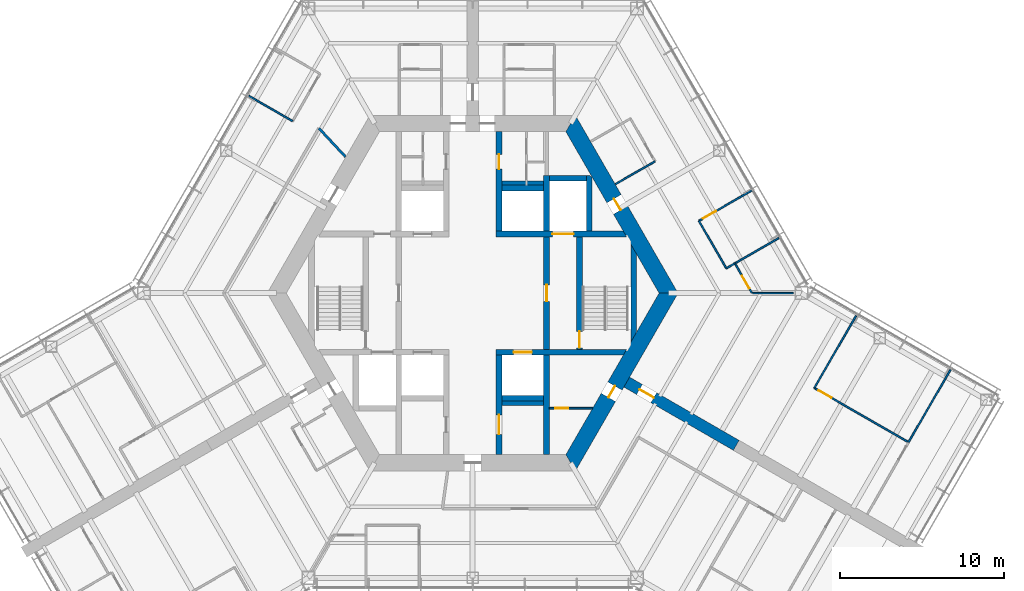
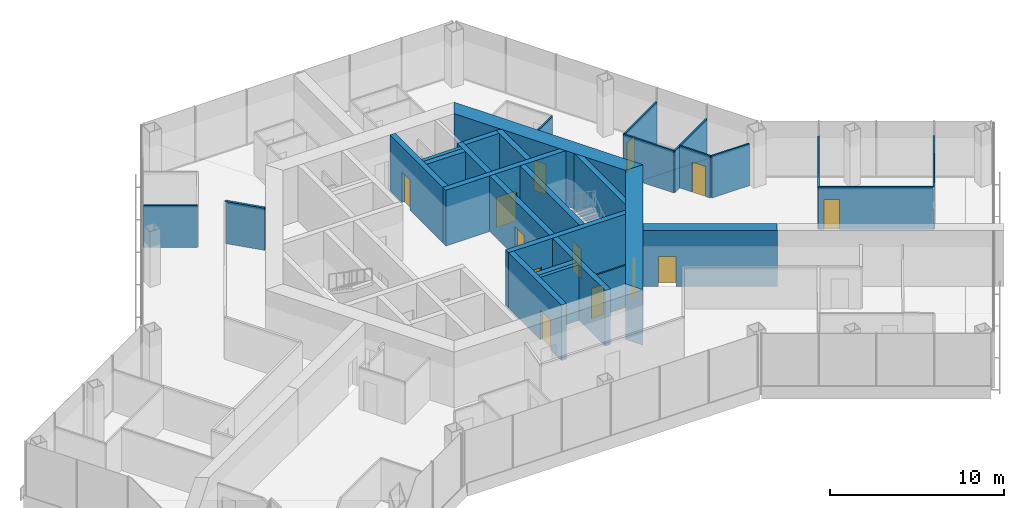
# One storey, part 14 of 18: 31 walls, 13 doors, 13 openings.
"""IFC4 building model written with IfcOpenShell, lengths in metres."""

import ifcopenshell
import ifcopenshell.guid

model = None  # the IFC model being written
_history = None  # IfcOwnerHistory: only IFC2X3 demands one
_inside = {}  # id of a spatial element -> (the spatial element, [elements in it])
_under = {}  # id of a project, library or spatial element -> (it, [spatial elements below it])
_declared = {}  # id of a project -> (the project, [libraries it declares])
_typed = {}  # id of a type object -> (the type object, [elements of that type])
_made_of = {}  # id of a material, layer set ... -> (it, [elements and type objects made of it])


def new_model(schema):
    """Start an empty IFC model of exactly this schema.

    Asked for "IFC4X3", IfcOpenShell would pick the latest addendum, in which some entities
    have other attributes; the version numbers below select the first issue.
    IFC2X3 requires an IfcOwnerHistory on every rooted entity: one is made here for all.
    """
    global model, _history
    if schema == "IFC4X3":
        model = ifcopenshell.file(schema_version=(4, 3, 0, 0))
    else:
        model = ifcopenshell.file(schema=schema)
    _inside.clear()
    _under.clear()
    _declared.clear()
    _typed.clear()
    _made_of.clear()
    _history = None
    if model.schema == "IFC2X3":
        org = make("IfcOrganization", Name="unknown")
        user = make(
            "IfcPersonAndOrganization",
            ThePerson=make("IfcPerson", FamilyName="unknown"),
            TheOrganization=org,
        )
        app = make(
            "IfcApplication",
            ApplicationDeveloper=org,
            Version="unknown",
            ApplicationFullName="unknown",
            ApplicationIdentifier="unknown",
        )
        _history = make(
            "IfcOwnerHistory",
            OwningUser=user,
            OwningApplication=app,
            ChangeAction="ADDED",
            CreationDate=0,
        )
    return model


def make(cls, **values):
    """One entity of the class cls with the attributes given. An attribute that is None is left unset."""
    return model.create_entity(
        cls, **{name: value for name, value in values.items() if value is not None}
    )


def rooted(cls, **values):
    """An entity with a GlobalId (a new one), such as an element, a storey or a relation."""
    return make(cls, GlobalId=ifcopenshell.guid.new(), OwnerHistory=_history, **values)


def si_unit(unit_type, name, prefix=None):
    """IfcSIUnit, for example si_unit("LENGTHUNIT", "METRE", prefix="MILLI")."""
    return make("IfcSIUnit", UnitType=unit_type, Prefix=prefix, Name=name)


def assignment(units):
    """IfcUnitAssignment: the units of a project."""
    return None if units is None else make("IfcUnitAssignment", Units=units)


def point(xyz):
    """IfcCartesianPoint."""
    return None if xyz is None else make("IfcCartesianPoint", Coordinates=xyz)


def direction(xyz):
    """IfcDirection."""
    return None if xyz is None else make("IfcDirection", DirectionRatios=xyz)


def frame(location, z_axis=None, x_axis=None):
    """IfcAxis2Placement3D, a coordinate frame: its origin and axes. An axis left out is left unset."""
    return make(
        "IfcAxis2Placement3D",
        Location=point(location),
        Axis=direction(z_axis),
        RefDirection=direction(x_axis),
    )


def frame_2d(location, x_axis=None):
    """IfcAxis2Placement2D, a coordinate frame in the plane: its origin and x axis."""
    return make(
        "IfcAxis2Placement2D", Location=point(location), RefDirection=direction(x_axis)
    )


def origin():
    """The frame at (0, 0, 0) with its axes left unset."""
    return frame((0.0, 0.0, 0.0))


def place(relative_to, where):
    """IfcLocalPlacement: puts the frame where relative to a parent placement (None: the world)."""
    return make(
        "IfcLocalPlacement", PlacementRelTo=relative_to, RelativePlacement=where
    )


def context(
    kind, dimensions, precision=None, world=None, true_north=None, identifier=None
):
    """IfcGeometricRepresentationContext, for example the 3D "Model" context."""
    return make(
        "IfcGeometricRepresentationContext",
        ContextIdentifier=identifier,
        ContextType=kind,
        CoordinateSpaceDimension=dimensions,
        Precision=precision,
        WorldCoordinateSystem=world,
        TrueNorth=true_north,
    )


def subcontext(parent, identifier, kind, view, scale=None):
    """IfcGeometricRepresentationSubContext, for example "Body" below "Model"."""
    return make(
        "IfcGeometricRepresentationSubContext",
        ContextIdentifier=identifier,
        ContextType=kind,
        ParentContext=parent,
        TargetScale=scale,
        TargetView=view,
    )


def project(units=None, contexts=None):
    """IfcProject with its units and contexts."""
    return rooted(
        "IfcProject",
        Name="project",
        RepresentationContexts=contexts,
        UnitsInContext=assignment(units),
    )


def spatial(cls, under=None, at=None, **own):
    """A site, building, storey or space (cls), placed at a placement, below another one or the project."""
    s = rooted(cls, ObjectPlacement=at, **own)
    if under is not None:
        _under.setdefault(under.id(), (under, []))[1].append(s)
    return s


def polyline(points):
    """IfcPolyline through the points."""
    return make("IfcPolyline", Points=[point(p) for p in points])


def profile(cls, at=None, kind="AREA", **sizes):
    """A parametric profile (cls). Its sizes go by their IFC names, for example OverallWidth=200.0."""
    return make(cls, ProfileType=kind, Position=at, **sizes)


def rectangle(**sizes):
    """IfcRectangleProfileDef."""
    return profile("IfcRectangleProfileDef", **sizes)


def outline(outer, holes=None, kind="AREA"):
    """IfcArbitraryClosedProfileDef: a profile drawn as a closed curve; with holes, ...WithVoids."""
    if holes is None:
        return make("IfcArbitraryClosedProfileDef", ProfileType=kind, OuterCurve=outer)
    return make(
        "IfcArbitraryProfileDefWithVoids",
        ProfileType=kind,
        OuterCurve=outer,
        InnerCurves=holes,
    )


def extrude(swept, where, along, depth):
    """IfcExtrudedAreaSolid: the profile swept, set in the frame where, extruded along a direction by depth."""
    return make(
        "IfcExtrudedAreaSolid",
        SweptArea=swept,
        Position=where,
        ExtrudedDirection=direction(along),
        Depth=depth,
    )


def shape(context_of_items, identifier, shape_type, items):
    """IfcShapeRepresentation: the items that make up one representation, for example the "Body"."""
    return make(
        "IfcShapeRepresentation",
        ContextOfItems=context_of_items,
        RepresentationIdentifier=identifier,
        RepresentationType=shape_type,
        Items=items,
    )


def material(Name=None, Category=None):
    """IfcMaterial."""
    return make("IfcMaterial", Name=Name, Category=Category)


def layer(
    of_material, thickness, ventilated=None, Name=None, Category=None, Priority=None
):
    """IfcMaterialLayer: one layer of a wall or slab, of a material (None: an air gap)."""
    return make(
        "IfcMaterialLayer",
        Material=of_material,
        LayerThickness=thickness,
        IsVentilated=ventilated,
        Name=Name,
        Category=Category,
        Priority=Priority,
    )


def layer_set(layers, Name=None):
    """IfcMaterialLayerSet."""
    return make("IfcMaterialLayerSet", MaterialLayers=layers, LayerSetName=Name)


def made_of(thing, what):
    """Note that an element or type object is made of a material, layer set ...; save() writes the relation."""
    if what is not None:
        _made_of.setdefault(what.id(), (what, []))[1].append(thing)
    return thing


def type_object(cls, material=None, **own):
    """A type object (cls), such as IfcWallType, which elements share."""
    return made_of(rooted(cls, **own), material)


def element(
    cls,
    number,
    at=None,
    inside=None,
    cuts=None,
    type_object=None,
    material=None,
    context=None,
    identifier="Body",
    shape_type=None,
    held_by="IfcProductDefinitionShape",
    body=None,
    shapes=None,
    **own,
):
    """One element of the class cls, such as IfcWall. Its Tag is "e" and its number.

    at: its placement. inside: the storey or other place that contains it. cuts: it is an
    opening in that element (IfcRelVoidsElement). A single representation is given by context,
    identifier, shape_type and body (its items); several are given by shapes. held_by: the class
    of the entity that holds the representations. save() writes the other relations.
    """
    e = rooted(cls, Tag="e%d" % number, ObjectPlacement=at, **own)
    if body is not None:
        shapes = [shape(context, identifier, shape_type, body)]
    if shapes is not None:
        e.Representation = make(held_by, Representations=shapes)
    if inside is not None:
        _inside.setdefault(inside.id(), (inside, []))[1].append(e)
    if cuts is not None:
        rooted(
            "IfcRelVoidsElement", RelatingBuildingElement=cuts, RelatedOpeningElement=e
        )
    if type_object is not None:
        _typed.setdefault(type_object.id(), (type_object, []))[1].append(e)
    return made_of(e, material)


def fill(opening, filler):
    """IfcRelFillsElement: the door or window that sits in an opening."""
    return rooted(
        "IfcRelFillsElement",
        RelatingOpeningElement=opening,
        RelatedBuildingElement=filler,
    )


def aggregate(whole, parts):
    """IfcRelAggregates: a whole, such as a stair, and the parts it consists of."""
    return rooted("IfcRelAggregates", RelatingObject=whole, RelatedObjects=parts)


def save(model, path):
    """Write the relations noted so far, then the file.

    IfcRelAggregates (storeys below a building ...), IfcRelContainedInSpatialStructure (elements
    in a storey), IfcRelDefinesByType, IfcRelAssociatesMaterial and IfcRelDeclares: one each for
    every whole, place, type object, material and project.
    """
    for whole, parts in _under.values():
        aggregate(whole, parts)
    for where, things in _inside.values():
        rooted(
            "IfcRelContainedInSpatialStructure",
            RelatedElements=things,
            RelatingStructure=where,
        )
    for kind, things in _typed.values():
        rooted("IfcRelDefinesByType", RelatedObjects=things, RelatingType=kind)
    for what, things in _made_of.values():
        rooted("IfcRelAssociatesMaterial", RelatedObjects=things, RelatingMaterial=what)
    for by, libraries in _declared.values():
        rooted("IfcRelDeclares", RelatingContext=by, RelatedDefinitions=libraries)
    model.write(path)


model = new_model("IFC4")

# Units and contexts
model_context = context("Model", 3, precision=1e-05, world=origin(), true_north=direction((0.0, 1.0)))
body_context = subcontext(model_context, "Body", "Model", "MODEL_VIEW")
ifc_project = project(units=[si_unit("LENGTHUNIT", "METRE"), si_unit("AREAUNIT", "SQUARE_METRE"), si_unit("VOLUMEUNIT", "CUBIC_METRE"), si_unit("PLANEANGLEUNIT", "RADIAN"), si_unit("MASSUNIT", "GRAM", prefix="KILO")], contexts=[model_context])

# Site, building, storey
site_placement = place(None, origin())
site = spatial("IfcSite", under=ifc_project, at=site_placement, CompositionType="ELEMENT")
building_placement = place(site_placement, origin())
building = spatial("IfcBuilding", under=site, at=building_placement, Name="Kasaneha Research Tower", CompositionType="ELEMENT")
storey_placement = place(building_placement, frame((0.0, 0.0, 195.5)))
storey = spatial("IfcBuildingStorey", under=building, at=storey_placement, Name="L49", CompositionType="ELEMENT", Elevation=195.5)

# Wall, opening, door
ifc_material_1 = material(Name="Concrete Fc70", Category="concrete")
ifc_layer_1 = layer(ifc_material_1, 0.35009765625)
ifc_layer_set_1 = layer_set([ifc_layer_1], Name="Core internal wall 350 Fc70")
wall_type_1 = type_object("IfcWallType", Name="Core internal wall 350 Fc70", PredefinedType="SHEAR", material=ifc_layer_set_1)
wall_1_placement = place(storey_placement, frame((1.425048828125, 3.60009765625, 0.0), z_axis=(0.0, 0.0, 1.0), x_axis=(1.0, 0.0, 0.0)))
wall_1 = element("IfcWall", 1, at=wall_1_placement, inside=storey, type_object=wall_type_1, Name="Core wall W1E L49", PredefinedType="SHEAR", context=body_context, shape_type="SweptSolid", body=[
    extrude(outline(polyline([(0.0, -0.175048828125), (3.425048828125, -0.175048828125), (4.72509765625, -0.175048828125), (7.9423828125, -0.175048828125), (7.740234375, 0.175048828125), (4.72509765625, 0.175048828125), (3.425048828125, 0.175048828125), (0.0, 0.175048828125), (0.0, -0.175048828125)])), origin(), (0.0, 0.0, 1.0), 3.89990234375),
])
opening_1_placement = place(wall_1_placement, frame((3.425048828125, 0.0, 0.0)))
opening_1 = element("IfcOpeningElement", 2, at=opening_1_placement, cuts=wall_1, Name="Opening LD-FL1-L49", PredefinedType="OPENING", context=body_context, shape_type="SweptSolid", body=[
    extrude(rectangle(XDim=1.300048828125, YDim=2.10009765625, at=frame_2d((0.64990234375, 1.050048828125))), frame((0.0, 0.18505859375, 0.0), z_axis=(0.0, -1.0, 0.0), x_axis=(1.0, 0.0, 0.0)), (0.0, 0.0, 1.0), 0.3701171875),
])
ifc_material_2 = material(Name="Steel", Category="steel")
door_type_1 = type_object("IfcDoorType", Name="Lift landing door 1300x2100", OperationType="DOUBLE_DOOR_SLIDING", PredefinedType="DOOR", material=ifc_material_2)
door_1_placement = place(opening_1_placement, origin())
door_1 = element("IfcDoor", 3, at=door_1_placement, inside=storey, type_object=door_type_1, Name="Landing door FL1 LD-FL1-L49", OperationType="DOUBLE_DOOR_SLIDING", OverallHeight=2.10009765625, OverallWidth=1.300048828125, PredefinedType="DOOR", context=body_context, shape_type="SweptSolid", body=[
    extrude(rectangle(XDim=1.300048828125, YDim=2.10009765625, at=frame_2d((0.64990234375, 1.050048828125))), frame((0.0, 0.02490234375, 0.0), z_axis=(0.0, -1.0, 0.0), x_axis=(1.0, 0.0, 0.0)), (0.0, 0.0, 1.0), 0.050048828125),
])
fill(opening_1, door_1)

wall_2_placement = place(storey_placement, frame((1.425048828125, -3.60009765625, 0.0), z_axis=(0.0, 0.0, 1.0), x_axis=(1.0, 0.0, 0.0)))
wall_2 = element("IfcWall", 4, at=wall_2_placement, inside=storey, type_object=wall_type_1, Name="Core wall W2E L49", PredefinedType="SHEAR", context=body_context, shape_type="SweptSolid", body=[
    extrude(outline(polyline([(0.0, -0.175048828125), (1.074951171875, -0.175048828125), (2.175048828125, -0.175048828125), (7.740234375, -0.175048828125), (7.9423828125, 0.175048828125), (2.175048828125, 0.175048828125), (1.074951171875, 0.175048828125), (0.0, 0.175048828125), (0.0, -0.175048828125)])), origin(), (0.0, 0.0, 1.0), 3.89990234375),
])
opening_2_placement = place(wall_2_placement, frame((1.074951171875, 0.0, 0.0)))
opening_2 = element("IfcOpeningElement", 5, at=opening_2_placement, cuts=wall_2, Name="Opening LD-LM2-L49", PredefinedType="OPENING", context=body_context, shape_type="SweptSolid", body=[
    extrude(rectangle(XDim=1.10009765625, YDim=2.10009765625, at=frame_2d((0.550048828125, 1.050048828125))), frame((0.0, 0.18505859375, 0.0), z_axis=(0.0, -1.0, 0.0), x_axis=(1.0, 0.0, 0.0)), (0.0, 0.0, 1.0), 0.3701171875),
])
ifc_material_3 = material(Name="Steel", Category="steel")
door_type_2 = type_object("IfcDoorType", Name="Lift landing door 1100x2100", OperationType="DOUBLE_DOOR_SLIDING", PredefinedType="DOOR", material=ifc_material_3)
door_2_placement = place(opening_2_placement, origin())
door_2 = element("IfcDoor", 6, at=door_2_placement, inside=storey, type_object=door_type_2, Name="Landing door LM2 LD-LM2-L49", OperationType="DOUBLE_DOOR_SLIDING", OverallHeight=2.10009765625, OverallWidth=1.10009765625, PredefinedType="DOOR", context=body_context, shape_type="SweptSolid", body=[
    extrude(rectangle(XDim=1.10009765625, YDim=2.10009765625, at=frame_2d((0.550048828125, 1.050048828125))), frame((0.0, 0.02490234375, 0.0), z_axis=(0.0, -1.0, 0.0), x_axis=(1.0, 0.0, 0.0)), (0.0, 0.0, 1.0), 0.050048828125),
])
fill(opening_2, door_2)

wall_3_placement = place(storey_placement, frame((1.60009765625, 3.77490234375, 0.0), z_axis=(0.0, 0.0, 1.0), x_axis=(0.0, 1.0, 0.0)))
wall_3 = element("IfcWall", 7, at=wall_3_placement, inside=storey, type_object=wall_type_1, Name="Core wall CNE L49", PredefinedType="SHEAR", context=body_context, shape_type="SweptSolid", body=[
    extrude(rectangle(XDim=6.050048828125, YDim=0.35009765625, at=frame_2d((3.02490234375, 0.0))), origin(), (0.0, 0.0, 1.0), 3.89990234375),
])
opening_3_placement = place(wall_3_placement, frame((3.77490234375, 0.0, 0.0)))
opening_3 = element("IfcOpeningElement", 8, at=opening_3_placement, cuts=wall_3, Name="Opening L49-D14", PredefinedType="OPENING", context=body_context, shape_type="SweptSolid", body=[
    extrude(rectangle(XDim=0.89990234375, YDim=2.10009765625, at=frame_2d((0.449951171875, 1.050048828125))), frame((0.0, 0.18505859375, 0.0), z_axis=(0.0, -1.0, 0.0), x_axis=(1.0, 0.0, 0.0)), (0.0, 0.0, 1.0), 0.3701171875),
])
ifc_material_4 = material(Name="Steel", Category="steel")
door_type_3 = type_object("IfcDoorType", Name="Toilet door FD20 900x2100", OperationType="NOTDEFINED", PredefinedType="DOOR", material=ifc_material_4)
door_3_placement = place(opening_3_placement, origin())
door_3 = element("IfcDoor", 9, at=door_3_placement, inside=storey, type_object=door_type_3, Name="Women's WC door L49-D14", OperationType="SINGLE_SWING_LEFT", OverallHeight=2.10009765625, OverallWidth=0.89990234375, PredefinedType="DOOR", context=body_context, shape_type="SweptSolid", body=[
    extrude(rectangle(XDim=0.89990234375, YDim=2.10009765625, at=frame_2d((0.449951171875, 1.050048828125))), frame((0.0, 0.02490234375, 0.0), z_axis=(0.0, -1.0, 0.0), x_axis=(1.0, 0.0, 0.0)), (0.0, 0.0, 1.0), 0.050048828125),
])
fill(opening_3, door_3)

wall_4_placement = place(storey_placement, frame((1.60009765625, -3.77490234375, 0.0), z_axis=(0.0, 0.0, 1.0), x_axis=(0.0, -1.0, 0.0)))
wall_4 = element("IfcWall", 10, at=wall_4_placement, inside=storey, type_object=wall_type_1, Name="Core wall CSE L49", PredefinedType="SHEAR", context=body_context, shape_type="SweptSolid", body=[
    extrude(rectangle(XDim=6.050048828125, YDim=0.35009765625, at=frame_2d((3.02490234375, 0.0))), origin(), (0.0, 0.0, 1.0), 3.89990234375),
])
opening_4_placement = place(wall_4_placement, frame((3.625, 0.0, 0.0)))
opening_4 = element("IfcOpeningElement", 11, at=opening_4_placement, cuts=wall_4, Name="Opening L49-D15", PredefinedType="OPENING", context=body_context, shape_type="SweptSolid", body=[
    extrude(rectangle(XDim=1.199951171875, YDim=2.10009765625, at=frame_2d((0.60009765625, 1.050048828125))), frame((0.0, 0.18505859375, 0.0), z_axis=(0.0, -1.0, 0.0), x_axis=(1.0, 0.0, 0.0)), (0.0, 0.0, 1.0), 0.3701171875),
])
ifc_material_5 = material(Name="Steel", Category="steel")
door_type_4 = type_object("IfcDoorType", Name="Accessible toilet sliding door FD20 1200x2100", OperationType="SLIDING_TO_LEFT", PredefinedType="DOOR", material=ifc_material_5)
door_4_placement = place(opening_4_placement, origin())
door_4 = element("IfcDoor", 12, at=door_4_placement, inside=storey, type_object=door_type_4, Name="Accessible WC door L49-D15", OperationType="SLIDING_TO_LEFT", OverallHeight=2.10009765625, OverallWidth=1.199951171875, PredefinedType="DOOR", context=body_context, shape_type="SweptSolid", body=[
    extrude(rectangle(XDim=1.199951171875, YDim=2.10009765625, at=frame_2d((0.60009765625, 1.050048828125))), frame((0.0, 0.02490234375, 0.0), z_axis=(0.0, -1.0, 0.0), x_axis=(1.0, 0.0, 0.0)), (0.0, 0.0, 1.0), 0.050048828125),
])
fill(opening_4, door_4)

wall_5_placement = place(storey_placement, frame((4.5, -3.425048828125, 0.0), z_axis=(0.0, 0.0, 1.0), x_axis=(0.0, 1.0, 0.0)))
wall_5 = element("IfcWall", 13, at=wall_5_placement, inside=storey, type_object=wall_type_1, Name="Core wall LBE L49", PredefinedType="SHEAR", context=body_context, shape_type="SweptSolid", body=[
    extrude(rectangle(XDim=6.85009765625, YDim=0.35009765625, at=frame_2d((3.425048828125, 0.0))), origin(), (0.0, 0.0, 1.0), 3.89990234375),
])
opening_5_placement = place(wall_5_placement, frame((2.925048828125, 0.0, 0.0)))
opening_5 = element("IfcOpeningElement", 14, at=opening_5_placement, cuts=wall_5, Name="Opening L49-D08", PredefinedType="OPENING", context=body_context, shape_type="SweptSolid", body=[
    extrude(rectangle(XDim=1.0, YDim=2.10009765625, at=frame_2d((0.5, 1.050048828125))), frame((0.0, 0.18505859375, 0.0), z_axis=(0.0, -1.0, 0.0), x_axis=(1.0, 0.0, 0.0)), (0.0, 0.0, 1.0), 0.3701171875),
])
ifc_material_6 = material(Name="Steel", Category="steel")
door_type_5 = type_object("IfcDoorType", Name="Specified fire door FD60 1000x2100", OperationType="NOTDEFINED", PredefinedType="DOOR", material=ifc_material_6)
door_5_placement = place(opening_5_placement, origin())
door_5 = element("IfcDoor", 15, at=door_5_placement, inside=storey, type_object=door_type_5, Name="Lift lobby door east L49-D08", OperationType="SINGLE_SWING_LEFT", OverallHeight=2.10009765625, OverallWidth=1.0, PredefinedType="DOOR", context=body_context, shape_type="SweptSolid", body=[
    extrude(rectangle(XDim=1.0, YDim=2.10009765625, at=frame_2d((0.5, 1.050048828125))), frame((0.0, 0.02490234375, 0.0), z_axis=(0.0, -1.0, 0.0), x_axis=(1.0, 0.0, 0.0)), (0.0, 0.0, 1.0), 0.050048828125),
])
fill(opening_5, door_5)

wall_6_placement = place(storey_placement, frame((6.5, -3.425048828125, 0.0), z_axis=(0.0, 0.0, 1.0), x_axis=(0.0, 1.0, 0.0)))
wall_6 = element("IfcWall", 16, at=wall_6_placement, inside=storey, type_object=wall_type_1, Name="Core wall ANE L49", PredefinedType="SHEAR", context=body_context, shape_type="SweptSolid", body=[
    extrude(rectangle(XDim=6.85009765625, YDim=0.35009765625, at=frame_2d((3.425048828125, 0.0))), origin(), (0.0, 0.0, 1.0), 3.89990234375),
])
opening_6_placement = place(wall_6_placement, frame((0.10009765625, 0.0, 0.0)))
opening_6 = element("IfcOpeningElement", 17, at=opening_6_placement, cuts=wall_6, Name="Opening L49-D10", PredefinedType="OPENING", context=body_context, shape_type="SweptSolid", body=[
    extrude(rectangle(XDim=1.0, YDim=2.10009765625, at=frame_2d((0.5, 1.050048828125))), frame((0.0, 0.18505859375, 0.0), z_axis=(0.0, -1.0, 0.0), x_axis=(1.0, 0.0, 0.0)), (0.0, 0.0, 1.0), 0.3701171875),
])
door_6_placement = place(opening_6_placement, origin())
door_6 = element("IfcDoor", 18, at=door_6_placement, inside=storey, type_object=door_type_5, Name="Stair 1 door L49-D10", OperationType="SINGLE_SWING_LEFT", OverallHeight=2.10009765625, OverallWidth=1.0, PredefinedType="DOOR", context=body_context, shape_type="SweptSolid", body=[
    extrude(rectangle(XDim=1.0, YDim=2.10009765625, at=frame_2d((0.5, 1.050048828125))), frame((0.0, 0.02490234375, 0.0), z_axis=(0.0, -1.0, 0.0), x_axis=(1.0, 0.0, 0.0)), (0.0, 0.0, 1.0), 0.050048828125),
])
fill(opening_6, door_6)

# Walls
wall_7_placement = place(storey_placement, frame((4.5, 3.77490234375, 0.0), z_axis=(0.0, 0.0, 1.0), x_axis=(0.0, 1.0, 0.0)))
element("IfcWall", 19, at=wall_7_placement, inside=storey, type_object=wall_type_1, Name="Core wall FNE L49", PredefinedType="SHEAR", context=body_context, shape_type="SweptSolid", body=[
    extrude(rectangle(XDim=3.400146484375, YDim=0.35009765625, at=frame_2d((1.7001953125, 0.0))), origin(), (0.0, 0.0, 1.0), 3.89990234375),
])
wall_8_placement = place(storey_placement, frame((4.5, -3.77490234375, 0.0), z_axis=(0.0, 0.0, 1.0), x_axis=(0.0, -1.0, 0.0)))
element("IfcWall", 20, at=wall_8_placement, inside=storey, type_object=wall_type_1, Name="Core wall SSE L49", PredefinedType="SHEAR", context=body_context, shape_type="SweptSolid", body=[
    extrude(rectangle(XDim=6.050048828125, YDim=0.35009765625, at=frame_2d((3.02490234375, 0.0))), origin(), (0.0, 0.0, 1.0), 3.89990234375),
])
for number, where, z_axis, x_axis, name in (
    (21, (1.77490234375, 6.39990234375, 0.0), (0.0, 0.0, 1.0), (1.0, 0.0, 0.0), "Core wall N3N L49"),
    (22, (1.77490234375, -6.39990234375, 0.0), (0.0, 0.0, 1.0), (1.0, 0.0, 0.0), "Core wall S3S L49"),
):
    element("IfcWall", number, at=place(storey_placement, frame(where, z_axis=z_axis, x_axis=x_axis)), inside=storey, type_object=wall_type_1, Name=name, PredefinedType="SHEAR", context=body_context, shape_type="SweptSolid", body=[
        extrude(rectangle(XDim=2.550048828125, YDim=0.35009765625, at=frame_2d((1.27490234375, 0.0))), origin(), (0.0, 0.0, 1.0), 3.89990234375),
    ])
wall_9_placement = place(storey_placement, frame((4.675048828125, 7.0, 0.0), z_axis=(0.0, 0.0, 1.0), x_axis=(1.0, 0.0, 0.0)))
element("IfcWall", 23, at=wall_9_placement, inside=storey, type_object=wall_type_1, Name="Core wall F1N L49", PredefinedType="SHEAR", context=body_context, shape_type="SweptSolid", body=[
    extrude(rectangle(XDim=2.25, YDim=0.35009765625, at=frame_2d((1.125, 0.0))), origin(), (0.0, 0.0, 1.0), 3.89990234375),
])
wall_10_placement = place(storey_placement, frame((7.10009765625, 3.77490234375, 0.0), z_axis=(0.0, 0.0, 1.0), x_axis=(0.0, 1.0, 0.0)))
element("IfcWall", 24, at=wall_10_placement, inside=storey, type_object=wall_type_1, Name="Core wall F1E L49", PredefinedType="SHEAR", context=body_context, shape_type="SweptSolid", body=[
    extrude(outline(polyline([(0.0, -0.175048828125), (3.2744140625, -0.175048828125), (3.400146484375, 0.0), (3.400146484375, 0.175048828125), (0.0, 0.175048828125), (0.0, -0.175048828125)])), origin(), (0.0, 0.0, 1.0), 3.89990234375),
])
wall_11_placement = place(storey_placement, frame((9.807861328125, -2.662353515625, 0.0), z_axis=(0.0, 0.0, 1.0), x_axis=(0.0, 1.0, 0.0)))
element("IfcWall", 25, at=wall_11_placement, inside=storey, type_object=wall_type_1, Name="Core wall STE L49", PredefinedType="SHEAR", context=body_context, shape_type="SweptSolid", body=[
    extrude(outline(polyline([(0.30322265625, -0.175048828125), (5.021484375, -0.175048828125), (5.6279296875, 0.175048828125), (-0.30322265625, 0.175048828125), (0.30322265625, -0.175048828125)])), origin(), (0.0, 0.0, 1.0), 3.89990234375),
])

# Wall, opening, door
ifc_material_7 = material(Name="Concrete Fc70", Category="concrete")
ifc_layer_2 = layer(ifc_material_7, 1.0)
ifc_layer_set_2 = layer_set([ifc_layer_2], Name="Core wall 1000 Fc70")
wall_type_2 = type_object("IfcWallType", Name="Core wall 1000 Fc70", PredefinedType="SHEAR", material=ifc_layer_set_2)
wall_12_placement = place(storey_placement, frame((11.92236328125, 0.0, 0.0), z_axis=(0.0, 0.0, 1.0), x_axis=(-0.500004296715, 0.866022923061, 0.0)))
wall_12 = element("IfcWall", 26, at=wall_12_placement, inside=storey, type_object=wall_type_2, Name="Core wall 030 L49", PredefinedType="SHEAR", context=body_context, shape_type="SweptSolid", body=[
    extrude(outline(polyline([(-0.28857421875, -0.5), (5.83544921875, -0.5), (6.635498046875, -0.5), (12.2109375, -0.5), (11.6337890625, 0.5), (6.635498046875, 0.5), (5.83544921875, 0.5), (0.28857421875, 0.5), (-0.28857421875, -0.5)])), origin(), (0.0, 0.0, 1.0), 3.89990234375),
])
opening_7_placement = place(wall_12_placement, frame((5.83544921875, 0.0, 0.0)))
opening_7 = element("IfcOpeningElement", 27, at=opening_7_placement, cuts=wall_12, Name="Opening L49-D04", PredefinedType="OPENING", context=body_context, shape_type="SweptSolid", body=[
    extrude(rectangle(XDim=0.800048828125, YDim=2.10009765625, at=frame_2d((0.39990234375, 1.050048828125))), frame((0.0, 0.510009765625, 0.0), z_axis=(0.0, -1.0, 0.0), x_axis=(1.0, 0.0, 0.0)), (0.0, 0.0, 1.0), 1.02001953125),
])
ifc_material_8 = material(Name="Steel", Category="steel")
door_type_6 = type_object("IfcDoorType", Name="Riser access door FD60 800x2100", OperationType="NOTDEFINED", PredefinedType="DOOR", material=ifc_material_8)
door_7_placement = place(opening_7_placement, origin())
door_7 = element("IfcDoor", 28, at=door_7_placement, inside=storey, type_object=door_type_6, Name="Pipe riser door L49-D04", OperationType="SINGLE_SWING_RIGHT", OverallHeight=2.10009765625, OverallWidth=0.800048828125, PredefinedType="DOOR", context=body_context, shape_type="SweptSolid", body=[
    extrude(rectangle(XDim=0.800048828125, YDim=2.10009765625, at=frame_2d((0.39990234375, 1.050048828125))), frame((0.0, 0.02490234375, 0.0), z_axis=(0.0, -1.0, 0.0), x_axis=(1.0, 0.0, 0.0)), (0.0, 0.0, 1.0), 0.050048828125),
])
fill(opening_7, door_7)

wall_13_placement = place(storey_placement, frame((5.961181640625, -10.324951171875, 0.0), z_axis=(0.0, 0.0, 1.0), x_axis=(0.500004296715, 0.866022923061, 0.0)))
wall_13 = element("IfcWall", 29, at=wall_13_placement, inside=storey, type_object=wall_type_2, Name="Core wall 330 L49", PredefinedType="SHEAR", context=body_context, shape_type="SweptSolid", body=[
    extrude(outline(polyline([(-0.28857421875, -0.5), (4.593994140625, -0.5), (5.39404296875, -0.5), (12.2109375, -0.5), (11.6337890625, 0.5), (5.39404296875, 0.5), (4.593994140625, 0.5), (0.28857421875, 0.5), (-0.28857421875, -0.5)])), origin(), (0.0, 0.0, 1.0), 3.89990234375),
])
opening_8_placement = place(wall_13_placement, frame((4.593994140625, 0.0, 0.0)))
opening_8 = element("IfcOpeningElement", 30, at=opening_8_placement, cuts=wall_13, Name="Opening L49-D05", PredefinedType="OPENING", context=body_context, shape_type="SweptSolid", body=[
    extrude(rectangle(XDim=0.800048828125, YDim=2.10009765625, at=frame_2d((0.39990234375, 1.050048828125))), frame((0.0, 0.510009765625, 0.0), z_axis=(0.0, -1.0, 0.0), x_axis=(1.0, 0.0, 0.0)), (0.0, 0.0, 1.0), 1.02001953125),
])
door_8_placement = place(opening_8_placement, origin())
door_8 = element("IfcDoor", 31, at=door_8_placement, inside=storey, type_object=door_type_6, Name="Pipe riser door L49-D05", OperationType="SINGLE_SWING_LEFT", OverallHeight=2.10009765625, OverallWidth=0.800048828125, PredefinedType="DOOR", context=body_context, shape_type="SweptSolid", body=[
    extrude(rectangle(XDim=0.800048828125, YDim=2.10009765625, at=frame_2d((0.39990234375, 1.050048828125))), frame((0.0, 0.02490234375, 0.0), z_axis=(0.0, -1.0, 0.0), x_axis=(1.0, 0.0, 0.0)), (0.0, 0.0, 1.0), 0.050048828125),
])
fill(opening_8, door_8)

ifc_material_9 = material(Name="Gypsum board on steel studs, one layer each side", Category="steel")
ifc_layer_3 = layer(ifc_material_9, 0.10009765625)
ifc_layer_set_3 = layer_set([ifc_layer_3], Name="Office partition 100")
wall_type_3 = type_object("IfcWallType", Name="Office partition 100", PredefinedType="PARTITIONING", material=ifc_layer_set_3)
wall_14_placement = place(storey_placement, frame((4.675048828125, -7.0, 0.0), z_axis=(0.0, 0.0, 1.0), x_axis=(1.0, 0.0, 0.0)))
wall_14 = element("IfcWall", 32, at=wall_14_placement, inside=storey, type_object=wall_type_3, Name="Office partition RS-SE L49", PredefinedType="PARTITIONING", context=body_context, shape_type="SweptSolid", body=[
    extrude(outline(polyline([(0.0, -0.050048828125), (0.35009765625, -0.050048828125), (1.150146484375, -0.050048828125), (2.599609375, -0.050048828125), (2.62841796875, 0.0), (2.63427734375, 0.050048828125), (1.150146484375, 0.050048828125), (0.35009765625, 0.050048828125), (0.0, 0.050048828125), (0.0, -0.050048828125)])), origin(), (0.0, 0.0, 1.0), 2.949951171875),
])
opening_9_placement = place(wall_14_placement, frame((0.35009765625, 0.0, 0.0)))
opening_9 = element("IfcOpeningElement", 33, at=opening_9_placement, cuts=wall_14, Name="Opening L49-D24", PredefinedType="OPENING", context=body_context, shape_type="SweptSolid", body=[
    extrude(rectangle(XDim=0.800048828125, YDim=2.10009765625, at=frame_2d((0.39990234375, 1.050048828125))), frame((0.0, 0.06005859375, 0.0), z_axis=(0.0, -1.0, 0.0), x_axis=(1.0, 0.0, 0.0)), (0.0, 0.0, 1.0), 0.1201171875),
])
door_9_placement = place(opening_9_placement, origin())
door_9 = element("IfcDoor", 34, at=door_9_placement, inside=storey, type_object=door_type_6, Name="Drainage riser door L49-D24", OperationType="SINGLE_SWING_LEFT", OverallHeight=2.10009765625, OverallWidth=0.800048828125, PredefinedType="DOOR", context=body_context, shape_type="SweptSolid", body=[
    extrude(rectangle(XDim=0.800048828125, YDim=2.10009765625, at=frame_2d((0.39990234375, 1.050048828125))), frame((0.0, 0.02490234375, 0.0), z_axis=(0.0, -1.0, 0.0), x_axis=(1.0, 0.0, 0.0)), (0.0, 0.0, 1.0), 0.050048828125),
])
fill(opening_9, door_9)

# Walls
wall_15_placement = place(storey_placement, frame((11.099609375, 8.02490234375, 0.0), z_axis=(0.0, 0.0, 1.0), x_axis=(-0.866056901187, -0.49994544093, 0.0)))
element("IfcWall", 35, at=wall_15_placement, inside=storey, type_object=wall_type_3, Name="Office partition FAE09 L49", PredefinedType="PARTITIONING", context=body_context, shape_type="SweptSolid", body=[
    extrude(rectangle(XDim=2.780029296875, YDim=0.10009765625, at=frame_2d((1.39013671875, 0.0))), origin(), (0.0, 0.0, 1.0), 2.949951171875),
])
wall_16_placement = place(storey_placement, frame((18.619873046875, 3.3505859375, 0.0), z_axis=(0.0, 0.0, 1.0), x_axis=(-0.866043267704, -0.499969057507, 0.0)))
element("IfcWall", 36, at=wall_16_placement, inside=storey, type_object=wall_type_3, Name="Office partition FAE10 L49", PredefinedType="PARTITIONING", context=body_context, shape_type="SweptSolid", body=[
    extrude(rectangle(XDim=3.085205078125, YDim=0.10009765625, at=frame_2d((1.54248046875, 0.0))), origin(), (0.0, 0.0, 1.0), 2.949951171875),
])

# Wall, opening, door
wall_17_placement = place(storey_placement, frame((13.767333984375, 4.395263671875, 0.0), z_axis=(0.0, 0.0, 1.0), x_axis=(0.866028673236, 0.499994337101, 0.0)))
wall_17 = element("IfcWall", 37, at=wall_17_placement, inside=storey, type_object=wall_type_3, Name="Office partition FAE11 L49", PredefinedType="PARTITIONING", context=body_context, shape_type="SweptSolid", body=[
    extrude(rectangle(XDim=3.705078125, YDim=0.10009765625, at=frame_2d((1.8525390625, 0.0))), origin(), (0.0, 0.0, 1.0), 2.949951171875),
])
opening_10_placement = place(wall_17_placement, frame((0.300048828125, 0.0, 0.0)))
opening_10 = element("IfcOpeningElement", 38, at=opening_10_placement, cuts=wall_17, Name="Opening L49-D28", PredefinedType="OPENING", context=body_context, shape_type="SweptSolid", body=[
    extrude(rectangle(XDim=0.89990234375, YDim=2.10009765625, at=frame_2d((0.449951171875, 1.050048828125))), frame((0.0, 0.06005859375, 0.0), z_axis=(0.0, -1.0, 0.0), x_axis=(1.0, 0.0, 0.0)), (0.0, 0.0, 1.0), 0.1201171875),
])
ifc_material_10 = material(Name="Timber veneer", Category="wood")
door_type_7 = type_object("IfcDoorType", Name="Office door 900x2100", OperationType="SINGLE_SWING_LEFT", PredefinedType="DOOR", material=ifc_material_10)
door_10_placement = place(opening_10_placement, origin())
door_10 = element("IfcDoor", 39, at=door_10_placement, inside=storey, type_object=door_type_7, Name="Locker room door L49-D28", OperationType="SINGLE_SWING_LEFT", OverallHeight=2.10009765625, OverallWidth=0.89990234375, PredefinedType="DOOR", context=body_context, shape_type="SweptSolid", body=[
    extrude(rectangle(XDim=0.89990234375, YDim=2.10009765625, at=frame_2d((0.449951171875, 1.050048828125))), frame((0.0, 0.02490234375, 0.0), z_axis=(0.0, -1.0, 0.0), x_axis=(1.0, 0.0, 0.0)), (0.0, 0.0, 1.0), 0.050048828125),
])
fill(opening_10, door_10)

# Walls
wall_18_placement = place(storey_placement, frame((15.432861328125, 1.510498046875, 0.0), z_axis=(0.0, 0.0, 1.0), x_axis=(-0.500001606164, 0.866024476463, 0.0)))
element("IfcWall", 40, at=wall_18_placement, inside=storey, type_object=wall_type_3, Name="Office partition FAE12 L49", PredefinedType="PARTITIONING", context=body_context, shape_type="SweptSolid", body=[
    extrude(rectangle(XDim=3.3310546875, YDim=0.10009765625, at=frame_2d((1.66552734375, 0.0))), origin(), (0.0, 0.0, 1.0), 2.949951171875),
])
wall_19_placement = place(storey_placement, frame((15.956298828125, 1.812744140625, 0.0), z_axis=(0.0, 0.0, 1.0), x_axis=(-0.865997239347, -0.500048779063, 0.0)))
element("IfcWall", 41, at=wall_19_placement, inside=storey, type_object=wall_type_3, Name="Office partition FAE13 L49", PredefinedType="PARTITIONING", context=body_context, shape_type="SweptSolid", body=[
    extrude(rectangle(XDim=0.6044921875, YDim=0.10009765625, at=frame_2d((0.30224609375, 0.0))), origin(), (0.0, 0.0, 1.0), 2.949951171875),
])

# Wall, opening, door
wall_20_placement = place(storey_placement, frame((16.986083984375, 0.02001953125, 0.0), z_axis=(0.0, 0.0, 1.0), x_axis=(-0.498096123952, 0.867121820337, 0.0)))
wall_20 = element("IfcWall", 42, at=wall_20_placement, inside=storey, type_object=wall_type_3, Name="Office partition FAE14 L49", PredefinedType="PARTITIONING", context=body_context, shape_type="SweptSolid", body=[
    extrude(rectangle(XDim=2.0673828125, YDim=0.10009765625, at=frame_2d((1.03369140625, 0.0))), origin(), (0.0, 0.0, 1.0), 2.949951171875),
])
opening_11_placement = place(wall_20_placement, frame((0.300048828125, 0.0, 0.0)))
opening_11 = element("IfcOpeningElement", 43, at=opening_11_placement, cuts=wall_20, Name="Opening L49-D29", PredefinedType="OPENING", context=body_context, shape_type="SweptSolid", body=[
    extrude(rectangle(XDim=0.89990234375, YDim=2.10009765625, at=frame_2d((0.449951171875, 1.050048828125))), frame((0.0, 0.06005859375, 0.0), z_axis=(0.0, -1.0, 0.0), x_axis=(1.0, 0.0, 0.0)), (0.0, 0.0, 1.0), 0.1201171875),
])
door_11_placement = place(opening_11_placement, origin())
door_11 = element("IfcDoor", 44, at=door_11_placement, inside=storey, type_object=door_type_7, Name="Workroom door L49-D29", OperationType="SINGLE_SWING_LEFT", OverallHeight=2.10009765625, OverallWidth=0.89990234375, PredefinedType="DOOR", context=body_context, shape_type="SweptSolid", body=[
    extrude(rectangle(XDim=0.89990234375, YDim=2.10009765625, at=frame_2d((0.449951171875, 1.050048828125))), frame((0.0, 0.02490234375, 0.0), z_axis=(0.0, -1.0, 0.0), x_axis=(1.0, 0.0, 0.0)), (0.0, 0.0, 1.0), 0.050048828125),
])
fill(opening_11, door_11)

# Walls
wall_21_placement = place(storey_placement, frame((-10.9560546875, 10.464599609375, 0.0), z_axis=(0.0, 0.0, 1.0), x_axis=(-0.866044340336, 0.499967199496, 0.0)))
element("IfcWall", 45, at=wall_21_placement, inside=storey, type_object=wall_type_3, Name="Office partition FBN13 L49", PredefinedType="PARTITIONING", context=body_context, shape_type="SweptSolid", body=[
    extrude(rectangle(XDim=3.079833984375, YDim=0.10009765625, at=frame_2d((1.5400390625, 0.0))), origin(), (0.0, 0.0, 1.0), 2.949951171875),
])
wall_22_placement = place(storey_placement, frame((29.077392578125, -4.65771484375, 0.0), z_axis=(0.0, 0.0, 1.0), x_axis=(-0.500900533712, -0.86550485575, 0.0)))
element("IfcWall", 46, at=wall_22_placement, inside=storey, type_object=wall_type_3, Name="Office partition FCE01 L49", PredefinedType="PARTITIONING", context=body_context, shape_type="SweptSolid", body=[
    extrude(rectangle(XDim=5.10498046875, YDim=0.10009765625, at=frame_2d((2.552490234375, 0.0))), origin(), (0.0, 0.0, 1.0), 2.949951171875),
])
wall_23_placement = place(storey_placement, frame((20.792236328125, -5.76904296875, 0.0), z_axis=(0.0, 0.0, 1.0), x_axis=(0.500005339912, 0.866022320763, 0.0)))
element("IfcWall", 47, at=wall_23_placement, inside=storey, type_object=wall_type_3, Name="Office partition FCE02 L49", PredefinedType="PARTITIONING", context=body_context, shape_type="SweptSolid", body=[
    extrude(rectangle(XDim=5.080078125, YDim=0.10009765625, at=frame_2d((2.5400390625, 0.0))), origin(), (0.0, 0.0, 1.0), 2.949951171875),
])

# Wall, opening, door
wall_24_placement = place(storey_placement, frame((26.527099609375, -9.0751953125, 0.0), z_axis=(0.0, 0.0, 1.0), x_axis=(-0.866343956507, 0.499447844147, 0.0)))
wall_24 = element("IfcWall", 48, at=wall_24_placement, inside=storey, type_object=wall_type_3, Name="Office partition FCE03 L49", PredefinedType="PARTITIONING", context=body_context, shape_type="SweptSolid", body=[
    extrude(rectangle(XDim=6.61962890625, YDim=0.10009765625, at=frame_2d((3.309814453125, 0.0))), origin(), (0.0, 0.0, 1.0), 2.949951171875),
])
opening_12_placement = place(wall_24_placement, frame((5.419677734375, 0.0, 0.0)))
opening_12 = element("IfcOpeningElement", 49, at=opening_12_placement, cuts=wall_24, Name="Opening L49-D41", PredefinedType="OPENING", context=body_context, shape_type="SweptSolid", body=[
    extrude(rectangle(XDim=0.89990234375, YDim=2.10009765625, at=frame_2d((0.449951171875, 1.050048828125))), frame((0.0, 0.06005859375, 0.0), z_axis=(0.0, -1.0, 0.0), x_axis=(1.0, 0.0, 0.0)), (0.0, 0.0, 1.0), 0.1201171875),
])
door_12_placement = place(opening_12_placement, origin())
door_12 = element("IfcDoor", 50, at=door_12_placement, inside=storey, type_object=door_type_7, Name="Large meeting room door L49-D41", OperationType="SINGLE_SWING_RIGHT", OverallHeight=2.10009765625, OverallWidth=0.89990234375, PredefinedType="DOOR", context=body_context, shape_type="SweptSolid", body=[
    extrude(rectangle(XDim=0.89990234375, YDim=2.10009765625, at=frame_2d((0.449951171875, 1.050048828125))), frame((0.0, 0.02490234375, 0.0), z_axis=(0.0, -1.0, 0.0), x_axis=(1.0, 0.0, 0.0)), (0.0, 0.0, 1.0), 0.050048828125),
])
fill(opening_12, door_12)

# Wall
wall_25_placement = place(storey_placement, frame((19.5185546875, 0.0, 0.0), z_axis=(0.0, 0.0, 1.0), x_axis=(-1.0, 0.0, 0.0)))
element("IfcWall", 51, at=wall_25_placement, inside=storey, type_object=wall_type_3, Name="Office partition closer PT5 L49", PredefinedType="PARTITIONING", context=body_context, shape_type="SweptSolid", body=[
    extrude(rectangle(XDim=2.477783203125, YDim=0.10009765625, at=frame_2d((1.23876953125, 0.0))), origin(), (0.0, 0.0, 1.0), 2.949951171875),
])

# Wall, opening, door
ifc_material_11 = material(Name="Concrete Fc70", Category="concrete")
ifc_layer_4 = layer(ifc_material_11, 0.699951171875)
ifc_layer_set_4 = layer_set([ifc_layer_4], Name="Spine wall 700 Fc70")
wall_type_4 = type_object("IfcWallType", Name="Spine wall 700 Fc70", PredefinedType="SHEAR", material=ifc_layer_set_4)
wall_26_placement = place(storey_placement, frame((9.374755859375, -5.41259765625, 0.0), z_axis=(0.0, 0.0, 1.0), x_axis=(0.866032377459, -0.499987921047, 0.0)))
wall_26 = element("IfcWall", 52, at=wall_26_placement, inside=storey, type_object=wall_type_4, Name="Spine wall C L49", PredefinedType="SHEAR", context=body_context, shape_type="SweptSolid", body=[
    extrude(rectangle(XDim=7.695556640625, YDim=0.699951171875, at=frame_2d((3.84765625, 0.0))), origin(), (0.0, 0.0, 1.0), 3.89990234375),
])
opening_13_placement = place(wall_26_placement, frame((0.89990234375, 0.0, 0.0)))
opening_13 = element("IfcOpeningElement", 53, at=opening_13_placement, cuts=wall_26, Name="Opening L49-D19", PredefinedType="OPENING", context=body_context, shape_type="SweptSolid", body=[
    extrude(rectangle(XDim=1.0, YDim=2.10009765625, at=frame_2d((0.5, 1.050048828125))), frame((0.0, 0.35986328125, 0.0), z_axis=(0.0, -1.0, 0.0), x_axis=(1.0, 0.0, 0.0)), (0.0, 0.0, 1.0), 0.719970703125),
])
door_13_placement = place(opening_13_placement, origin())
door_13 = element("IfcDoor", 54, at=door_13_placement, inside=storey, type_object=door_type_5, Name="Spine doorway C L49-D19", OperationType="SINGLE_SWING_LEFT", OverallHeight=2.10009765625, OverallWidth=1.0, PredefinedType="DOOR", context=body_context, shape_type="SweptSolid", body=[
    extrude(rectangle(XDim=1.0, YDim=2.10009765625, at=frame_2d((0.5, 1.050048828125))), frame((0.0, 0.02490234375, 0.0), z_axis=(0.0, -1.0, 0.0), x_axis=(1.0, 0.0, 0.0)), (0.0, 0.0, 1.0), 0.050048828125),
])
fill(opening_13, door_13)

# Walls
ifc_material_12 = material(Name="Gypsum board on steel studs, two layers each side", Category="steel")
ifc_layer_5 = layer(ifc_material_12, 0.14990234375)
ifc_layer_set_5 = layer_set([ifc_layer_5], Name="Suite partition 150")
wall_type_5 = type_object("IfcWallType", Name="Suite partition 150", PredefinedType="PARTITIONING", material=ifc_layer_set_5)
wall_27_placement = place(storey_placement, frame((-9.360107421875, 10.03759765625, 0.0), z_axis=(0.0, 0.0, 1.0), x_axis=(0.681997114248, -0.731354863358, 0.0)))
element("IfcWall", 55, at=wall_27_placement, inside=storey, type_object=wall_type_5, Name="Suite partition FBN04 L49", PredefinedType="PARTITIONING", context=body_context, shape_type="SweptSolid", body=[
    extrude(outline(polyline([(0.0, -0.074951171875), (2.384033203125, -0.074951171875), (2.384033203125, 0.0), (2.382080078125, 0.074951171875), (0.0, 0.074951171875), (0.0, -0.074951171875)])), origin(), (0.0, 0.0, 1.0), 2.949951171875),
])
ifc_material_13 = material(Name="Concrete block lining", Category="concrete")
ifc_layer_6 = layer(ifc_material_13, 0.25)
ifc_layer_set_6 = layer_set([ifc_layer_6], Name="WC plumbing wall 250")
wall_type_6 = type_object("IfcWallType", Name="WC plumbing wall 250", PredefinedType="PLUMBINGWALL", material=ifc_layer_set_6)
for number, where, z_axis, x_axis, name in (
    (56, (1.77490234375, 6.699951171875, 0.0), (0.0, 0.0, 1.0), (1.0, 0.0, 0.0), "WC plumbing wall F L49"),
    (57, (1.77490234375, -6.699951171875, 0.0), (0.0, 0.0, 1.0), (1.0, 0.0, 0.0), "WC plumbing wall A L49"),
):
    element("IfcWall", number, at=place(storey_placement, frame(where, z_axis=z_axis, x_axis=x_axis)), inside=storey, type_object=wall_type_6, Name=name, PredefinedType="PLUMBINGWALL", context=body_context, shape_type="SweptSolid", body=[
        extrude(rectangle(XDim=2.550048828125, YDim=0.25, at=frame_2d((1.27490234375, 0.0))), origin(), (0.0, 0.0, 1.0), 3.89990234375),
    ])

save(model, "model.ifc")
